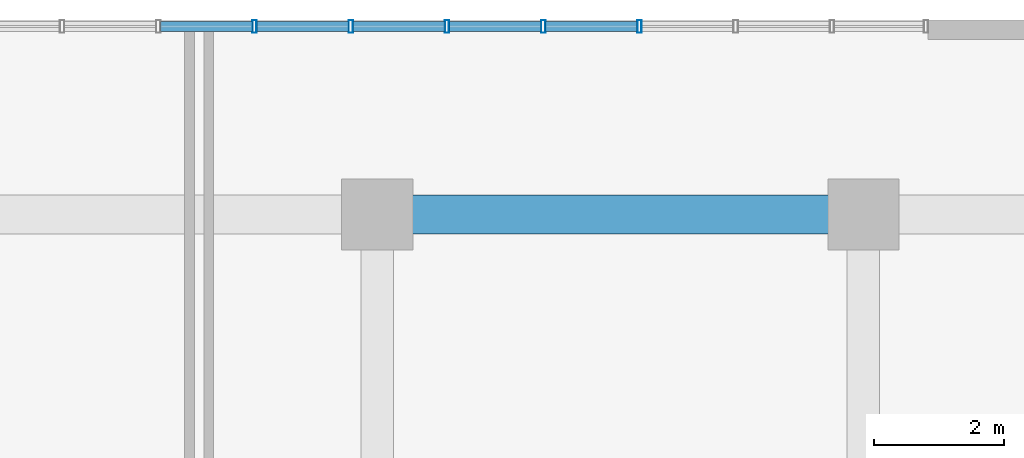
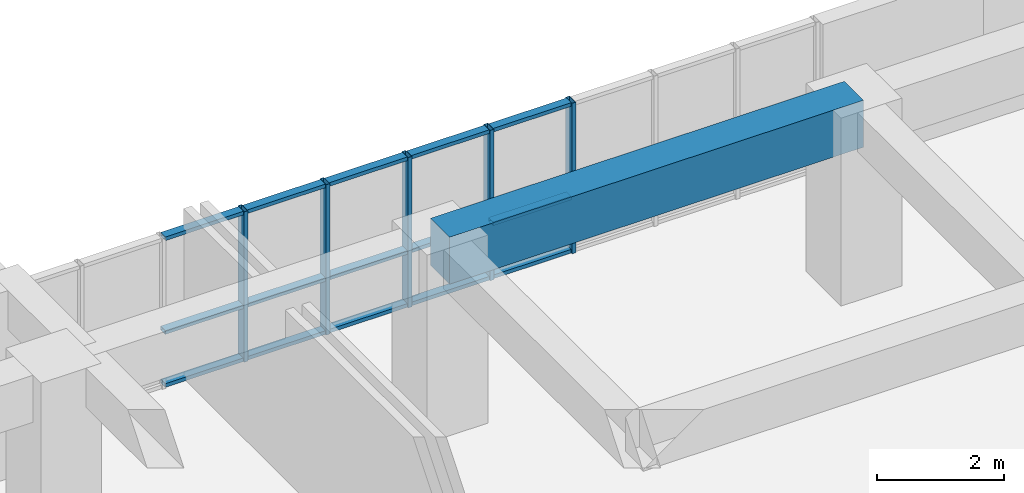
# One storey, part 14 of 30: 20 members, 1 beam, 1 element without a shape of its own.
"""IFC4 building model written with IfcOpenShell, lengths in metres."""

from ifc_helpers import new_model, si_unit, direction, frame, origin, origin_2d, place, context, subcontext, project, spatial, rectangle, hollow_rectangle, extrude, source, transform, mapped, material, layer, layer_set, material_profile, profile_set, type_object, element, aggregate, save


model = new_model("IFC4")

# Units and contexts
model_context = context("Model", 3, precision=1e-05, world=origin(), true_north=direction((0.0, 1.0)))
body_context = subcontext(model_context, "Body", "Model", "MODEL_VIEW")
ifc_project = project(units=[si_unit("LENGTHUNIT", "METRE"), si_unit("AREAUNIT", "SQUARE_METRE"), si_unit("VOLUMEUNIT", "CUBIC_METRE"), si_unit("PLANEANGLEUNIT", "RADIAN"), si_unit("MASSUNIT", "GRAM", prefix="KILO")], contexts=[model_context])

# Site, building, storey
site_placement = place(None, origin())
site = spatial("IfcSite", under=ifc_project, at=site_placement, CompositionType="ELEMENT")
building_placement = place(site_placement, origin())
building = spatial("IfcBuilding", under=site, at=building_placement, Name="Saelheon Loggia Tower", CompositionType="ELEMENT")
storey_placement = place(building_placement, frame((0.0, 0.0, 11.39990234375)))
storey = spatial("IfcBuildingStorey", under=building, at=storey_placement, Name="L03", CompositionType="ELEMENT", Elevation=11.39990234375)

# Beam
ifc_material_1 = material(Name="Concrete C50/60", Category="concrete")
ifc_material_profile_1 = material_profile(ifc_material_1, rectangle(XDim=0.60009765625, YDim=0.89990234375, at=origin_2d()), Name="RC-600x900")
ifc_profile_set_1 = profile_set([ifc_material_profile_1], Name="Concrete C50/60")
beam_type = type_object("IfcBeamType", Name="Beam_MainGirder_RC600x900", PredefinedType="BEAM", material=ifc_profile_set_1)
shared_shape_1 = source(origin(), body_context, "Body", "SweptSolid", [
    extrude(rectangle(XDim=0.60009765625, YDim=0.89990234375, at=origin_2d()), origin(), (0.0, 0.0, 1.0), 7.5),
])
beam_placement = place(storey_placement, frame((51.5, 51.0, 3.150146484375), z_axis=(1.0, 0.0, 0.0), x_axis=(0.0, 1.0, 0.0)))
element("IfcBeam", 1, at=beam_placement, inside=storey, type_object=beam_type, Name="BM-L03-EW-51-8", PredefinedType="BEAM", context=body_context, shape_type="MappedRepresentation", body=[
    mapped(shared_shape_1, transform((0.0, 0.0, 0.0), scale=1.0)),
])

# Curtain wall, members
ifc_material_2 = material(Name="Aluminium 6063-T6 and Low-E IGU", Category="aluminium")
ifc_layer = layer(ifc_material_2, 0.179931640625)
ifc_layer_set = layer_set([ifc_layer], Name="Aluminium 6063-T6 and Low-E IGU")
curtain_wall_type = type_object("IfcCurtainWallType", Name="CW_PodiumClinic", PredefinedType="NOTDEFINED", material=ifc_layer_set)
curtain_wall_placement = place(storey_placement, origin())
curtain_wall = element("IfcCurtainWall", 2, at=curtain_wall_placement, inside=storey, type_object=curtain_wall_type, Name="L03 North Clinic Curtain Wall 3", PredefinedType="NOTDEFINED")
ifc_material_3 = material(Name="Anodised Aluminium 6063-T6", Category="aluminium")
ifc_material_profile_2 = material_profile(ifc_material_3, hollow_rectangle(XDim=0.070068359375, YDim=0.199951171875, WallThickness=0.0048828125, at=origin_2d()), Name="RHS-200x70x5")
ifc_profile_set_2 = profile_set([ifc_material_profile_2], Name="Anodised Aluminium 6063-T6")
member_type_1 = type_object("IfcMemberType", Name="CW_PodiumClinic_Mullion", PredefinedType="MULLION", material=ifc_profile_set_2)
shared_shape_2 = source(origin(), body_context, "Body", "SweptSolid", [
    extrude(hollow_rectangle(XDim=0.070068359375, YDim=0.199951171875, WallThickness=0.0048828125, at=origin_2d()), origin(), (0.0, 0.0, 1.0), 2.880126953125),
])
member_1_placement = place(storey_placement, frame((49.60498046875, 53.89990234375, 0.0), z_axis=(0.0, 0.0, 1.0), x_axis=(1.0, 0.0, 0.0)))
member_1 = element("IfcMember", 3, at=member_1_placement, type_object=member_type_1, Name="CW1 mullion 4", PredefinedType="MULLION", context=body_context, shape_type="MappedRepresentation", body=[
    mapped(shared_shape_2, transform((0.0, 0.0, 0.0), scale=1.0)),
])
member_2_placement = place(storey_placement, frame((51.090087890625, 53.89990234375, 0.0), z_axis=(0.0, 0.0, 1.0), x_axis=(1.0, 0.0, 0.0)))
member_2 = element("IfcMember", 4, at=member_2_placement, type_object=member_type_1, Name="CW1 mullion 5", PredefinedType="MULLION", context=body_context, shape_type="MappedRepresentation", body=[
    mapped(shared_shape_2, transform((0.0, 0.0, 0.0), scale=1.0)),
])
member_3_placement = place(storey_placement, frame((52.574951171875, 53.89990234375, 0.0), z_axis=(0.0, 0.0, 1.0), x_axis=(1.0, 0.0, 0.0)))
member_3 = element("IfcMember", 5, at=member_3_placement, type_object=member_type_1, Name="CW1 mullion 6", PredefinedType="MULLION", context=body_context, shape_type="MappedRepresentation", body=[
    mapped(shared_shape_2, transform((0.0, 0.0, 0.0), scale=1.0)),
])
member_4_placement = place(storey_placement, frame((54.06005859375, 53.89990234375, 0.0), z_axis=(0.0, 0.0, 1.0), x_axis=(1.0, 0.0, 0.0)))
member_4 = element("IfcMember", 6, at=member_4_placement, type_object=member_type_1, Name="CW1 mullion 7", PredefinedType="MULLION", context=body_context, shape_type="MappedRepresentation", body=[
    mapped(shared_shape_2, transform((0.0, 0.0, 0.0), scale=1.0)),
])
member_5_placement = place(storey_placement, frame((55.544921875, 53.89990234375, 0.0), z_axis=(0.0, 0.0, 1.0), x_axis=(1.0, 0.0, 0.0)))
member_5 = element("IfcMember", 7, at=member_5_placement, type_object=member_type_1, Name="CW1 mullion 8", PredefinedType="MULLION", context=body_context, shape_type="MappedRepresentation", body=[
    mapped(shared_shape_2, transform((0.0, 0.0, 0.0), scale=1.0)),
])
ifc_material_profile_3 = material_profile(ifc_material_3, hollow_rectangle(XDim=0.070068359375, YDim=0.14990234375, WallThickness=0.0048828125, at=origin_2d()), Name="RHS-150x70x5")
ifc_profile_set_3 = profile_set([ifc_material_profile_3], Name="Anodised Aluminium 6063-T6")
member_type_2 = type_object("IfcMemberType", Name="CW_PodiumClinic_Transom", PredefinedType="USERDEFINED", material=ifc_profile_set_3)
shared_shape_3 = source(origin(), body_context, "Body", "SweptSolid", [
    extrude(hollow_rectangle(XDim=0.070068359375, YDim=0.14990234375, WallThickness=0.0048828125, at=origin_2d()), origin(), (0.0, 0.0, 1.0), 1.4150390625),
])
member_6_placement = place(storey_placement, frame((48.155029296875, 53.89990234375, 0.03515625), z_axis=(1.0, 0.0, 0.0), x_axis=(0.0, 0.0, 1.0)))
member_6 = element("IfcMember", 8, at=member_6_placement, type_object=member_type_2, Name="CW1 transom 3.1", ObjectType="TRANSOM", PredefinedType="USERDEFINED", context=body_context, shape_type="MappedRepresentation", body=[
    mapped(shared_shape_3, transform((0.0, 0.0, 0.0), scale=1.0)),
])
member_7_placement = place(storey_placement, frame((48.155029296875, 53.89990234375, 1.050048828125), z_axis=(1.0, 0.0, 0.0), x_axis=(0.0, 0.0, 1.0)))
member_7 = element("IfcMember", 9, at=member_7_placement, type_object=member_type_2, Name="CW1 transom 3.2", ObjectType="TRANSOM", PredefinedType="USERDEFINED", context=body_context, shape_type="MappedRepresentation", body=[
    mapped(shared_shape_3, transform((0.0, 0.0, 0.0), scale=1.0)),
])
member_8_placement = place(storey_placement, frame((48.155029296875, 53.89990234375, 2.84521484375), z_axis=(1.0, 0.0, 0.0), x_axis=(0.0, 0.0, 1.0)))
member_8 = element("IfcMember", 10, at=member_8_placement, type_object=member_type_2, Name="CW1 transom 3.3", ObjectType="TRANSOM", PredefinedType="USERDEFINED", context=body_context, shape_type="MappedRepresentation", body=[
    mapped(shared_shape_3, transform((0.0, 0.0, 0.0), scale=1.0)),
])
member_9_placement = place(storey_placement, frame((49.639892578125, 53.89990234375, 0.03515625), z_axis=(1.0, 0.0, 0.0), x_axis=(0.0, 0.0, 1.0)))
member_9 = element("IfcMember", 11, at=member_9_placement, type_object=member_type_2, Name="CW1 transom 4.1", ObjectType="TRANSOM", PredefinedType="USERDEFINED", context=body_context, shape_type="MappedRepresentation", body=[
    mapped(shared_shape_3, transform((0.0, 0.0, 0.0), scale=1.0)),
])
member_10_placement = place(storey_placement, frame((49.639892578125, 53.89990234375, 1.050048828125), z_axis=(1.0, 0.0, 0.0), x_axis=(0.0, 0.0, 1.0)))
member_10 = element("IfcMember", 12, at=member_10_placement, type_object=member_type_2, Name="CW1 transom 4.2", ObjectType="TRANSOM", PredefinedType="USERDEFINED", context=body_context, shape_type="MappedRepresentation", body=[
    mapped(shared_shape_3, transform((0.0, 0.0, 0.0), scale=1.0)),
])
member_11_placement = place(storey_placement, frame((49.639892578125, 53.89990234375, 2.84521484375), z_axis=(1.0, 0.0, 0.0), x_axis=(0.0, 0.0, 1.0)))
member_11 = element("IfcMember", 13, at=member_11_placement, type_object=member_type_2, Name="CW1 transom 4.3", ObjectType="TRANSOM", PredefinedType="USERDEFINED", context=body_context, shape_type="MappedRepresentation", body=[
    mapped(shared_shape_3, transform((0.0, 0.0, 0.0), scale=1.0)),
])
member_12_placement = place(storey_placement, frame((51.125, 53.89990234375, 0.03515625), z_axis=(1.0, 0.0, 0.0), x_axis=(0.0, 0.0, 1.0)))
member_12 = element("IfcMember", 14, at=member_12_placement, type_object=member_type_2, Name="CW1 transom 5.1", ObjectType="TRANSOM", PredefinedType="USERDEFINED", context=body_context, shape_type="MappedRepresentation", body=[
    mapped(shared_shape_3, transform((0.0, 0.0, 0.0), scale=1.0)),
])
member_13_placement = place(storey_placement, frame((51.125, 53.89990234375, 1.050048828125), z_axis=(1.0, 0.0, 0.0), x_axis=(0.0, 0.0, 1.0)))
member_13 = element("IfcMember", 15, at=member_13_placement, type_object=member_type_2, Name="CW1 transom 5.2", ObjectType="TRANSOM", PredefinedType="USERDEFINED", context=body_context, shape_type="MappedRepresentation", body=[
    mapped(shared_shape_3, transform((0.0, 0.0, 0.0), scale=1.0)),
])
member_14_placement = place(storey_placement, frame((51.125, 53.89990234375, 2.84521484375), z_axis=(1.0, 0.0, 0.0), x_axis=(0.0, 0.0, 1.0)))
member_14 = element("IfcMember", 16, at=member_14_placement, type_object=member_type_2, Name="CW1 transom 5.3", ObjectType="TRANSOM", PredefinedType="USERDEFINED", context=body_context, shape_type="MappedRepresentation", body=[
    mapped(shared_shape_3, transform((0.0, 0.0, 0.0), scale=1.0)),
])
member_15_placement = place(storey_placement, frame((54.094970703125, 53.89990234375, 0.03515625), z_axis=(1.0, 0.0, 0.0), x_axis=(0.0, 0.0, 1.0)))
member_15 = element("IfcMember", 17, at=member_15_placement, type_object=member_type_2, Name="CW1 transom 7.1", ObjectType="TRANSOM", PredefinedType="USERDEFINED", context=body_context, shape_type="MappedRepresentation", body=[
    mapped(shared_shape_3, transform((0.0, 0.0, 0.0), scale=1.0)),
])
member_16_placement = place(storey_placement, frame((54.094970703125, 53.89990234375, 1.050048828125), z_axis=(1.0, 0.0, 0.0), x_axis=(0.0, 0.0, 1.0)))
member_16 = element("IfcMember", 18, at=member_16_placement, type_object=member_type_2, Name="CW1 transom 7.2", ObjectType="TRANSOM", PredefinedType="USERDEFINED", context=body_context, shape_type="MappedRepresentation", body=[
    mapped(shared_shape_3, transform((0.0, 0.0, 0.0), scale=1.0)),
])
member_17_placement = place(storey_placement, frame((54.094970703125, 53.89990234375, 2.84521484375), z_axis=(1.0, 0.0, 0.0), x_axis=(0.0, 0.0, 1.0)))
member_17 = element("IfcMember", 19, at=member_17_placement, type_object=member_type_2, Name="CW1 transom 7.3", ObjectType="TRANSOM", PredefinedType="USERDEFINED", context=body_context, shape_type="MappedRepresentation", body=[
    mapped(shared_shape_3, transform((0.0, 0.0, 0.0), scale=1.0)),
])
shared_shape_4 = source(origin(), body_context, "Body", "SweptSolid", [
    extrude(hollow_rectangle(XDim=0.070068359375, YDim=0.14990234375, WallThickness=0.0048828125, at=origin_2d()), origin(), (0.0, 0.0, 1.0), 1.414794921875),
])
member_18_placement = place(storey_placement, frame((52.610107421875, 53.89990234375, 0.03515625), z_axis=(1.0, 0.0, 0.0), x_axis=(0.0, 0.0, 1.0)))
member_18 = element("IfcMember", 20, at=member_18_placement, type_object=member_type_2, Name="CW1 transom 6.1", ObjectType="TRANSOM", PredefinedType="USERDEFINED", context=body_context, shape_type="MappedRepresentation", body=[
    mapped(shared_shape_4, transform((0.0, 0.0, 0.0), scale=1.0)),
])
member_19_placement = place(storey_placement, frame((52.610107421875, 53.89990234375, 1.050048828125), z_axis=(1.0, 0.0, 0.0), x_axis=(0.0, 0.0, 1.0)))
member_19 = element("IfcMember", 21, at=member_19_placement, type_object=member_type_2, Name="CW1 transom 6.2", ObjectType="TRANSOM", PredefinedType="USERDEFINED", context=body_context, shape_type="MappedRepresentation", body=[
    mapped(shared_shape_4, transform((0.0, 0.0, 0.0), scale=1.0)),
])
member_20_placement = place(storey_placement, frame((52.610107421875, 53.89990234375, 2.84521484375), z_axis=(1.0, 0.0, 0.0), x_axis=(0.0, 0.0, 1.0)))
member_20 = element("IfcMember", 22, at=member_20_placement, type_object=member_type_2, Name="CW1 transom 6.3", ObjectType="TRANSOM", PredefinedType="USERDEFINED", context=body_context, shape_type="MappedRepresentation", body=[
    mapped(shared_shape_4, transform((0.0, 0.0, 0.0), scale=1.0)),
])
aggregate(curtain_wall, [member_1, member_2, member_3, member_4, member_5, member_6, member_7, member_8, member_9, member_10, member_11, member_12, member_13, member_14, member_18, member_19, member_20, member_15, member_16, member_17])

save(model, "model.ifc")
